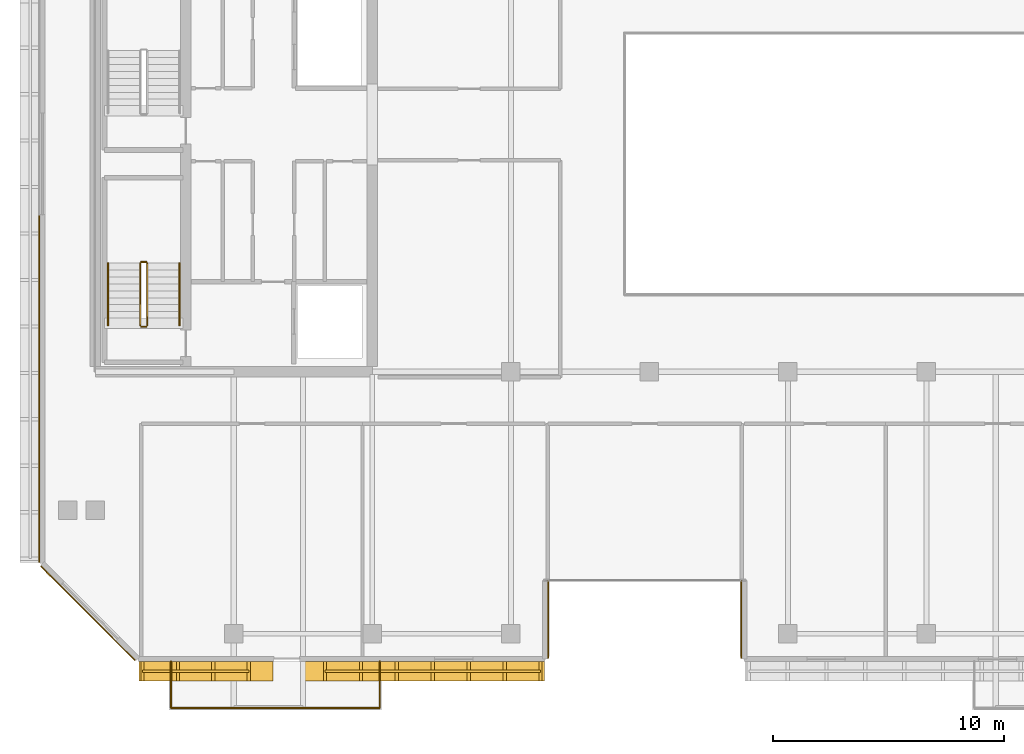
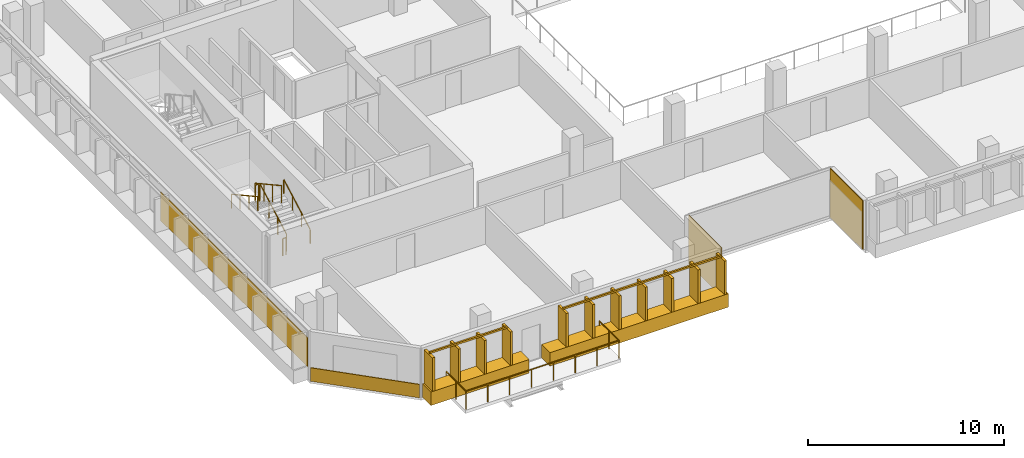
# One storey, part 12 of 16: 9 railings, 6 coverings.
"""IFC4 building model written with IfcOpenShell, lengths in metres."""

from ifc_helpers import new_model, si_unit, direction, frame, origin, origin_2d, place, context, subcontext, project, spatial, rectangle, extrude, material, layer, layer_set, type_object, element, save


model = new_model("IFC4")

# Units and contexts
model_context = context("Model", 3, precision=1e-05, world=origin(), true_north=direction((0.0, 1.0)))
body_context = subcontext(model_context, "Body", "Model", "MODEL_VIEW")
ifc_project = project(units=[si_unit("LENGTHUNIT", "METRE"), si_unit("AREAUNIT", "SQUARE_METRE"), si_unit("VOLUMEUNIT", "CUBIC_METRE"), si_unit("PLANEANGLEUNIT", "RADIAN"), si_unit("MASSUNIT", "GRAM", prefix="KILO")], contexts=[model_context])

# Site, building, storey
site_placement = place(None, origin())
site = spatial("IfcSite", under=ifc_project, at=site_placement, CompositionType="ELEMENT")
building_placement = place(site_placement, origin())
building = spatial("IfcBuilding", under=site, at=building_placement, Name="Tanjung Sevakor Pilgrim Tower", CompositionType="ELEMENT")
storey_placement = place(building_placement, frame((0.0, 0.0, 191.72998046875)))
storey = spatial("IfcBuildingStorey", under=building, at=storey_placement, Name="L53", CompositionType="ELEMENT", Elevation=191.72998046875)

# Coverings
ifc_material_1 = material(Name="Reconstructed Limestone Cladding", Category="masonry")
ifc_layer = layer(ifc_material_1, 0.044921875)
ifc_layer_set = layer_set([ifc_layer], Name="COV-CLAD-LIMESTONE")
covering_type = type_object("IfcCoveringType", Name="COV-CLAD-LIMESTONE", PredefinedType="CLADDING", material=ifc_layer_set)
covering_1_placement = place(storey_placement, frame((28.787841796875, 11.6201171875, 0.009765625), z_axis=(0.0, 0.0, 1.0), x_axis=(1.0, 0.0, 0.0)))
element("IfcCovering", 1, at=covering_1_placement, inside=storey, type_object=covering_type, Name="L53 Warm Limestone Sill Spandrel EW-L53-MAIN-1-1", PredefinedType="CLADDING", context=body_context, shape_type="SweptSolid", body=[
    extrude(rectangle(XDim=5.804443359375, YDim=0.860107421875, at=origin_2d()), origin(), (0.0, 0.0, 1.0), 0.840087890625),
])
covering_2_placement = place(storey_placement, frame((38.179931640625, 11.6201171875, 0.009765625), z_axis=(0.0, 0.0, 1.0), x_axis=(1.0, 0.0, 0.0)))
element("IfcCovering", 2, at=covering_2_placement, inside=storey, type_object=covering_type, Name="L53 Warm Limestone Sill Spandrel EW-L53-MAIN-1-2", PredefinedType="CLADDING", context=body_context, shape_type="SweptSolid", body=[
    extrude(rectangle(XDim=10.5400390625, YDim=0.860107421875, at=origin_2d()), origin(), (0.0, 0.0, 1.0), 0.840087890625),
])
for number, where, z_axis, x_axis, name in (
    (3, (43.62255859375, 13.860107421875, 0.02001953125), (0.0, 0.0, 1.0), (0.0, 1.0, 0.0), "L53 Warm Limestone Wall Cladding EW-L53-MAIN-2"),
    (4, (51.9775390625, 13.860107421875, 0.02001953125), (0.0, 0.0, 1.0), (0.0, -1.0, 0.0), "L53 Warm Limestone Wall Cladding EW-L53-MAIN-4"),
):
    element("IfcCovering", number, at=place(storey_placement, frame(where, z_axis=z_axis, x_axis=x_axis)), inside=storey, type_object=covering_type, Name=name, PredefinedType="CLADDING", context=body_context, shape_type="SweptSolid", body=[
        extrude(rectangle(XDim=3.360107421875, YDim=0.044921875, at=origin_2d()), origin(), (0.0, 0.0, 1.0), 3.0400390625),
    ])
covering_3_placement = place(storey_placement, frame((21.577392578125, 23.8427734375, 0.85009765625), z_axis=(0.0, 0.0, 1.0), x_axis=(0.0, -1.0, 0.0)))
element("IfcCovering", 5, at=covering_3_placement, inside=storey, type_object=covering_type, Name="L53 Warm Limestone Pier Panel EW-L53-MAIN-15-2", PredefinedType="CLADDING", context=body_context, shape_type="SweptSolid", body=[
    extrude(rectangle(XDim=15.014404296875, YDim=0.044921875, at=origin_2d()), origin(), (0.0, 0.0, 1.0), 1.81005859375),
])
covering_4_placement = place(storey_placement, frame((23.68408203125, 14.134033203125, 0.009765625), z_axis=(0.0, 0.0, 1.0), x_axis=(0.707106781187, -0.707106781187, 0.0)))
element("IfcCovering", 6, at=covering_4_placement, inside=storey, type_object=covering_type, Name="L53 Warm Limestone Sill Spandrel EW-CHM-L53-MAIN-15-1", PredefinedType="CLADDING", context=body_context, shape_type="SweptSolid", body=[
    extrude(rectangle(XDim=5.7685546875, YDim=0.044921875, at=origin_2d()), origin(), (0.0, 0.0, 1.0), 0.840087890625),
])

# Railings
ifc_material_2 = material(Name="Laminated Glass and Aluminium", Category="aluminium")
railing_type_1 = type_object("IfcRailingType", Name="RL-BAL-BALUST", PredefinedType="BALUSTRADE", material=ifc_material_2)
railing_1_placement = place(storey_placement, frame((27.280029296875, 12.050048828125, 0.0)))
element("IfcRailing", 7, at=railing_1_placement, inside=storey, type_object=railing_type_1, Name="L53 Loggia Balustrade MAIN-S1", PredefinedType="BALUSTRADE", context=body_context, shape_type="SweptSolid", body=[
    extrude(rectangle(XDim=0.0479, YDim=0.0479), frame((0.0, 0.0, 1.1259765625), z_axis=(0.0, -1.0, 0.0), x_axis=(1.0, 0.0, 0.0)), (0.0, 0.0, 1.0), 2.02001953125),
    extrude(rectangle(XDim=0.0479, YDim=0.0479), frame((0.0, -2.02001953125, 1.1259765625), z_axis=(1.0, 0.0, 0.0), x_axis=(0.0, 1.0, 0.0)), (0.0, 0.0, 1.0), 9.0400390625),
    extrude(rectangle(XDim=0.0479, YDim=0.0479), frame((9.0400390625, -2.02001953125, 1.1259765625), z_axis=(0.0, 1.0, 0.0), x_axis=(-1.0, 0.0, 0.0)), (0.0, 0.0, 1.0), 2.02001953125),
    extrude(rectangle(XDim=0.042, YDim=0.042), origin(), (0.0, 0.0, 1.0), 1.101806640625),
    extrude(rectangle(XDim=0.042, YDim=0.042), frame((0.0, -1.010009765625, 0.0)), (0.0, 0.0, 1.0), 1.101806640625),
    extrude(rectangle(XDim=0.042, YDim=0.042), frame((0.0, -2.02001953125, 0.0)), (0.0, 0.0, 1.0), 1.101806640625),
    extrude(rectangle(XDim=0.042, YDim=0.042), frame((1.29150390625, -2.02001953125, 0.0)), (0.0, 0.0, 1.0), 1.101806640625),
    extrude(rectangle(XDim=0.042, YDim=0.042), frame((2.582763671875, -2.02001953125, 0.0)), (0.0, 0.0, 1.0), 1.101806640625),
    extrude(rectangle(XDim=0.042, YDim=0.042), frame((3.874267578125, -2.02001953125, 0.0)), (0.0, 0.0, 1.0), 1.101806640625),
    extrude(rectangle(XDim=0.042, YDim=0.042), frame((5.165771484375, -2.02001953125, 0.0)), (0.0, 0.0, 1.0), 1.101806640625),
    extrude(rectangle(XDim=0.042, YDim=0.042), frame((6.457275390625, -2.02001953125, 0.0)), (0.0, 0.0, 1.0), 1.101806640625),
    extrude(rectangle(XDim=0.042, YDim=0.042), frame((7.74853515625, -2.02001953125, 0.0)), (0.0, 0.0, 1.0), 1.101806640625),
    extrude(rectangle(XDim=0.042, YDim=0.042), frame((9.0400390625, -2.02001953125, 0.0)), (0.0, 0.0, 1.0), 1.101806640625),
    extrude(rectangle(XDim=0.042, YDim=0.042), frame((9.0400390625, -1.010009765625, 0.0)), (0.0, 0.0, 1.0), 1.101806640625),
    extrude(rectangle(XDim=0.042, YDim=0.042), frame((9.0400390625, 0.0, 0.0)), (0.0, 0.0, 1.0), 1.101806640625),
])
ifc_material_3 = material(Name="Anodised Bronze Aluminium 6063-T6", Category="aluminium")
railing_type_2 = type_object("IfcRailingType", Name="RL-FIN-SCREEN", PredefinedType="BALUSTRADE", material=ifc_material_3)
railing_2_placement = place(storey_placement, frame((26.045654296875, 11.625, 0.840087890625)))
element("IfcRailing", 8, at=railing_2_placement, inside=storey, type_object=railing_type_2, Name="L53 Vertical Bronze-Gold Solar Fin Screen FNSCR-EW-L53-MAIN-1-1", PredefinedType="BALUSTRADE", context=body_context, shape_type="SweptSolid", body=[
    extrude(rectangle(XDim=0.105, YDim=0.105), frame((0.0, 0.0, 2.157470703125), z_axis=(1.0, 0.0, 0.0), x_axis=(0.0, 1.0, 0.0)), (0.0, 0.0, 1.0), 4.604248046875),
    extrude(rectangle(XDim=0.14, YDim=0.85), origin(), (0.0, 0.0, 1.0), 2.10498046875),
    extrude(rectangle(XDim=0.14, YDim=0.85), frame((1.53466796875, 0.0, 0.0)), (0.0, 0.0, 1.0), 2.10498046875),
    extrude(rectangle(XDim=0.14, YDim=0.85), frame((3.069580078125, 0.0, 0.0)), (0.0, 0.0, 1.0), 2.10498046875),
    extrude(rectangle(XDim=0.14, YDim=0.85), frame((4.604248046875, 0.0, 0.0)), (0.0, 0.0, 1.0), 2.10498046875),
])
railing_3_placement = place(storey_placement, frame((33.949951171875, 11.625, 0.840087890625)))
element("IfcRailing", 9, at=railing_3_placement, inside=storey, type_object=railing_type_2, Name="L53 Vertical Bronze-Gold Solar Fin Screen FNSCR-EW-L53-MAIN-1-2", PredefinedType="BALUSTRADE", context=body_context, shape_type="SweptSolid", body=[
    extrude(rectangle(XDim=0.105, YDim=0.105), frame((0.0, 0.0, 2.157470703125), z_axis=(1.0, 0.0, 0.0), x_axis=(0.0, 1.0, 0.0)), (0.0, 0.0, 1.0), 9.340087890625),
    extrude(rectangle(XDim=0.14, YDim=0.85), origin(), (0.0, 0.0, 1.0), 2.10498046875),
    extrude(rectangle(XDim=0.14, YDim=0.85), frame((1.556640625, 0.0, 0.0)), (0.0, 0.0, 1.0), 2.10498046875),
    extrude(rectangle(XDim=0.14, YDim=0.85), frame((3.11328125, 0.0, 0.0)), (0.0, 0.0, 1.0), 2.10498046875),
    extrude(rectangle(XDim=0.14, YDim=0.85), frame((4.669921875, 0.0, 0.0)), (0.0, 0.0, 1.0), 2.10498046875),
    extrude(rectangle(XDim=0.14, YDim=0.85), frame((6.226806640625, 0.0, 0.0)), (0.0, 0.0, 1.0), 2.10498046875),
    extrude(rectangle(XDim=0.14, YDim=0.85), frame((7.783447265625, 0.0, 0.0)), (0.0, 0.0, 1.0), 2.10498046875),
    extrude(rectangle(XDim=0.14, YDim=0.85), frame((9.340087890625, 0.0, 0.0)), (0.0, 0.0, 1.0), 2.10498046875),
])
ifc_material_4 = material(Name="Steel S355J2", Category="steel")
railing_type_3 = type_object("IfcRailingType", Name="RL-STAIR-GUARD", PredefinedType="GUARDRAIL", material=ifc_material_4)
railing_4_placement = place(storey_placement, frame((26.25, 26.60009765625, 0.1650390625)))
element("IfcRailing", 10, at=railing_4_placement, inside=storey, type_object=railing_type_3, Name="L53 TS-W1 stair guard 1", PredefinedType="GUARDRAIL", context=body_context, shape_type="SweptSolid", body=[
    extrude(rectangle(XDim=0.0479, YDim=0.0479), frame((0.0, 0.0, 1.076171875), z_axis=(0.0, 0.876230963923, 0.481891375584), x_axis=(-1.0, 0.0, 0.0)), (0.0, 0.0, 1.0), 3.081298828125),
    extrude(rectangle(XDim=0.042, YDim=0.042), origin(), (0.0, 0.0, 1.0), 1.052001953125),
    extrude(rectangle(XDim=0.042, YDim=0.042), frame((0.0, 0.89990234375, 0.494873046875)), (0.0, 0.0, 1.0), 1.052001953125),
    extrude(rectangle(XDim=0.042, YDim=0.042), frame((0.0, 1.800048828125, 0.989990234375)), (0.0, 0.0, 1.0), 1.052001953125),
    extrude(rectangle(XDim=0.042, YDim=0.042), frame((0.0, 2.699951171875, 1.48486328125)), (0.0, 0.0, 1.0), 1.052001953125),
])
railing_5_placement = place(storey_placement, frame((26.199951171875, 29.35009765625, 1.64990234375)))
element("IfcRailing", 11, at=railing_5_placement, inside=storey, type_object=railing_type_3, Name="L53 TS-W1 stair guard 2", PredefinedType="GUARDRAIL", context=body_context, shape_type="SweptSolid", body=[
    extrude(rectangle(XDim=0.0479, YDim=0.0479), frame((0.0, 0.0, 1.076171875), z_axis=(-1.0, 0.0, 0.0), x_axis=(0.0, -1.0, 0.0)), (0.0, 0.0, 1.0), 0.199951171875),
    extrude(rectangle(XDim=0.042, YDim=0.042), origin(), (0.0, 0.0, 1.0), 1.052001953125),
    extrude(rectangle(XDim=0.042, YDim=0.042), frame((-0.199951171875, 0.0, 0.0)), (0.0, 0.0, 1.0), 1.052001953125),
])
railing_6_placement = place(storey_placement, frame((25.949951171875, 29.300048828125, 1.81494140625)))
element("IfcRailing", 12, at=railing_6_placement, inside=storey, type_object=railing_type_3, Name="L53 TS-W1 stair guard 3", PredefinedType="GUARDRAIL", context=body_context, shape_type="SweptSolid", body=[
    extrude(rectangle(XDim=0.0479, YDim=0.0479), frame((0.0, 0.0, 1.076171875), z_axis=(0.0, -0.876197507361, 0.481952205197), x_axis=(1.0, 0.0, 0.0)), (0.0, 0.0, 1.0), 3.08154296875),
    extrude(rectangle(XDim=0.042, YDim=0.042), origin(), (0.0, 0.0, 1.0), 1.052001953125),
    extrude(rectangle(XDim=0.042, YDim=0.042), frame((0.0, -0.89990234375, 0.4951171875)), (0.0, 0.0, 1.0), 1.052001953125),
    extrude(rectangle(XDim=0.042, YDim=0.042), frame((0.0, -1.800048828125, 0.989990234375)), (0.0, 0.0, 1.0), 1.052001953125),
    extrude(rectangle(XDim=0.042, YDim=0.042), frame((0.0, -2.699951171875, 1.485107421875)), (0.0, 0.0, 1.0), 1.052001953125),
])
railing_7_placement = place(storey_placement, frame((26.199951171875, 26.550048828125, 0.0)))
element("IfcRailing", 13, at=railing_7_placement, inside=storey, type_object=railing_type_3, Name="L53 TS-W1 stair guard 4", PredefinedType="GUARDRAIL", context=body_context, shape_type="SweptSolid", body=[
    extrude(rectangle(XDim=0.0479, YDim=0.0479), frame((0.0, 0.0, 1.076171875), z_axis=(-1.0, 0.0, 0.0), x_axis=(0.0, -1.0, 0.0)), (0.0, 0.0, 1.0), 0.199951171875),
    extrude(rectangle(XDim=0.042, YDim=0.042), origin(), (0.0, 0.0, 1.0), 1.052001953125),
    extrude(rectangle(XDim=0.042, YDim=0.042), frame((-0.199951171875, 0.0, 0.0)), (0.0, 0.0, 1.0), 1.052001953125),
])
ifc_material_5 = material(Name="Steel S355J2", Category="steel")
railing_type_4 = type_object("IfcRailingType", Name="RL-STAIR-HAND", PredefinedType="HANDRAIL", material=ifc_material_5)
railing_8_placement = place(storey_placement, frame((27.64990234375, 26.60009765625, 0.1650390625)))
element("IfcRailing", 14, at=railing_8_placement, inside=storey, type_object=railing_type_4, Name="L53 TS-W1 stair handrail 1", PredefinedType="HANDRAIL", context=body_context, shape_type="SweptSolid", body=[
    extrude(rectangle(XDim=0.0479, YDim=0.0479), frame((0.0, 0.0, 0.8759765625), z_axis=(0.0, 0.876230963923, 0.481891375584), x_axis=(-1.0, 0.0, 0.0)), (0.0, 0.0, 1.0), 3.081298828125),
    extrude(rectangle(XDim=0.042, YDim=0.042), origin(), (0.0, 0.0, 1.0), 0.851806640625),
    extrude(rectangle(XDim=0.042, YDim=0.042), frame((0.0, 0.89990234375, 0.494873046875)), (0.0, 0.0, 1.0), 0.851806640625),
    extrude(rectangle(XDim=0.042, YDim=0.042), frame((0.0, 1.800048828125, 0.989990234375)), (0.0, 0.0, 1.0), 0.851806640625),
    extrude(rectangle(XDim=0.042, YDim=0.042), frame((0.0, 2.699951171875, 1.48486328125)), (0.0, 0.0, 1.0), 0.851806640625),
])
railing_9_placement = place(storey_placement, frame((24.550048828125, 29.300048828125, 1.81494140625)))
element("IfcRailing", 15, at=railing_9_placement, inside=storey, type_object=railing_type_4, Name="L53 TS-W1 stair handrail 2", PredefinedType="HANDRAIL", context=body_context, shape_type="SweptSolid", body=[
    extrude(rectangle(XDim=0.0479, YDim=0.0479), frame((0.0, 0.0, 0.8759765625), z_axis=(0.0, -0.876197507361, 0.481952205197), x_axis=(1.0, 0.0, 0.0)), (0.0, 0.0, 1.0), 3.08154296875),
    extrude(rectangle(XDim=0.042, YDim=0.042), origin(), (0.0, 0.0, 1.0), 0.851806640625),
    extrude(rectangle(XDim=0.042, YDim=0.042), frame((0.0, -0.89990234375, 0.4951171875)), (0.0, 0.0, 1.0), 0.851806640625),
    extrude(rectangle(XDim=0.042, YDim=0.042), frame((0.0, -1.800048828125, 0.989990234375)), (0.0, 0.0, 1.0), 0.851806640625),
    extrude(rectangle(XDim=0.042, YDim=0.042), frame((0.0, -2.699951171875, 1.485107421875)), (0.0, 0.0, 1.0), 0.851806640625),
])

save(model, "model.ifc")
